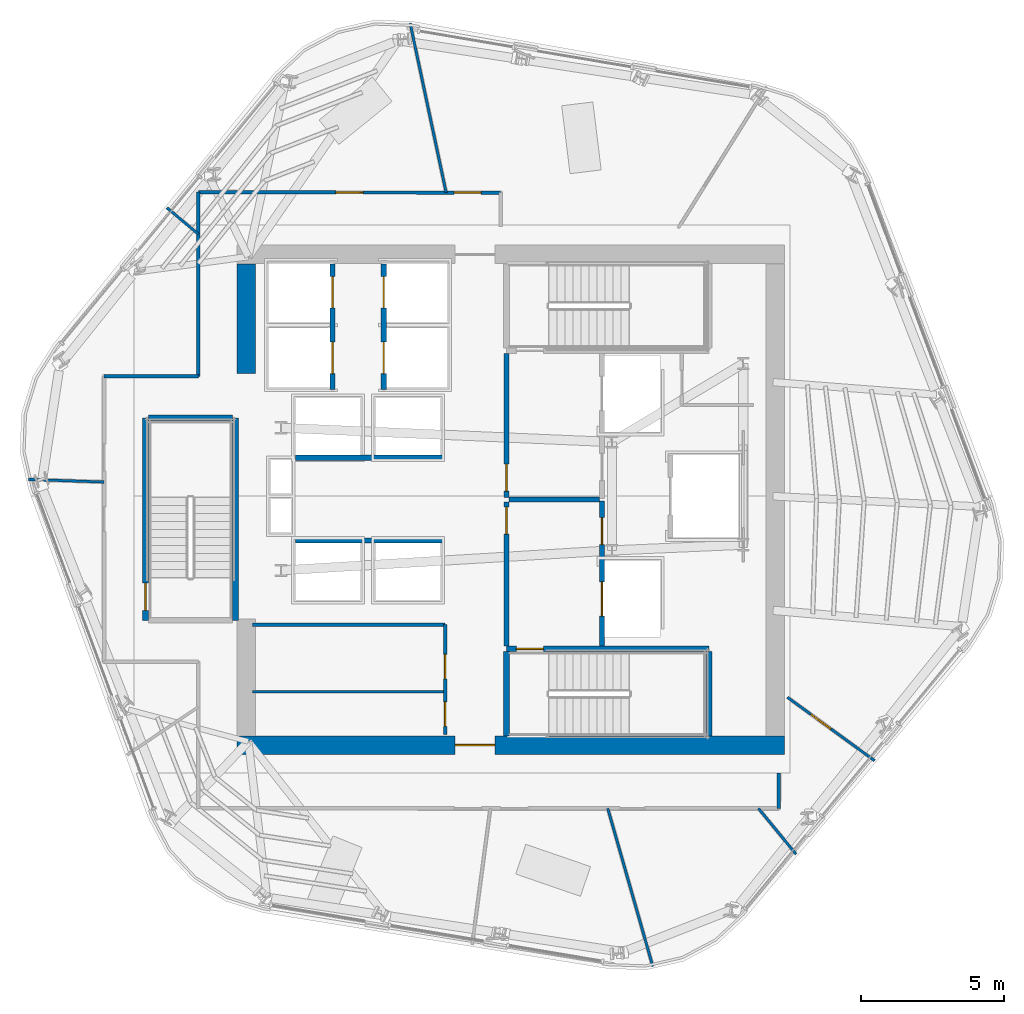
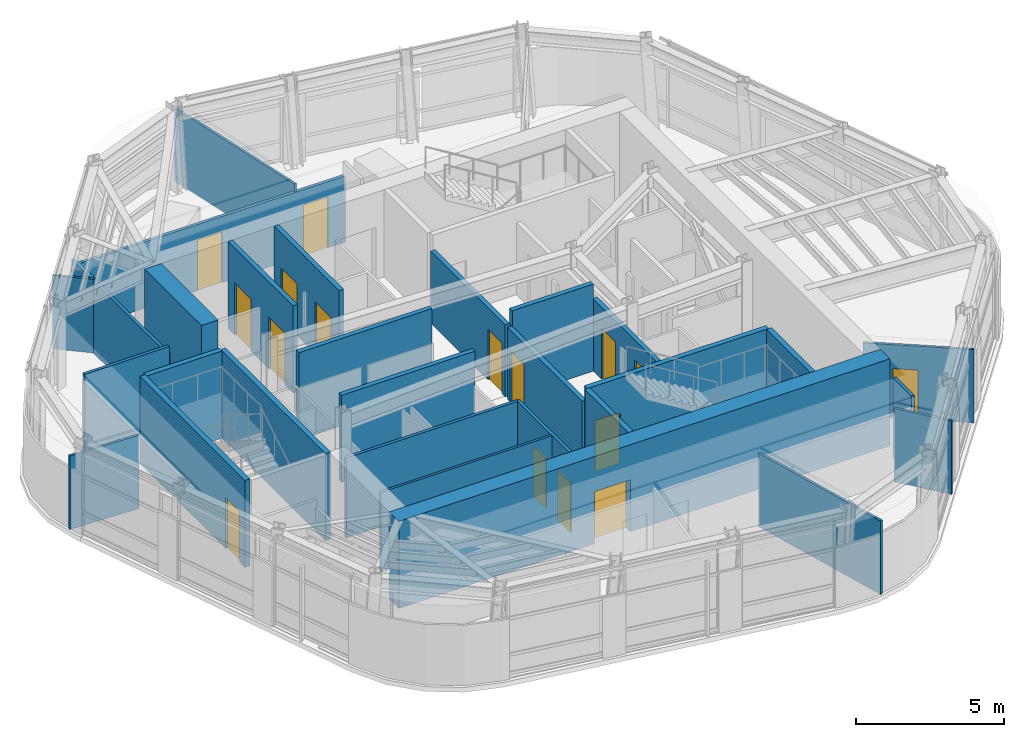
# One storey, part 6 of 12: 29 walls, 16 doors, 16 openings.
"""IFC4 building model written with IfcOpenShell, lengths in metres."""

from ifc_helpers import new_model, si_unit, direction, frame, frame_2d, origin, place, context, subcontext, project, spatial, rectangle, extrude, material, layer, layer_set, type_object, element, fill, save


model = new_model("IFC4")

# Units and contexts
model_context = context("Model", 3, precision=1e-05, world=origin(), true_north=direction((0.0, 1.0)))
body_context = subcontext(model_context, "Body", "Model", "MODEL_VIEW")
ifc_project = project(units=[si_unit("LENGTHUNIT", "METRE"), si_unit("AREAUNIT", "SQUARE_METRE"), si_unit("VOLUMEUNIT", "CUBIC_METRE"), si_unit("PLANEANGLEUNIT", "RADIAN"), si_unit("MASSUNIT", "GRAM", prefix="KILO")], contexts=[model_context])

# Site, building, storey
site_placement = place(None, origin())
site = spatial("IfcSite", under=ifc_project, at=site_placement, CompositionType="ELEMENT")
building_placement = place(site_placement, origin())
building = spatial("IfcBuilding", under=site, at=building_placement, Name="Valkerne Bourse Tower", CompositionType="ELEMENT")
storey_placement = place(building_placement, frame((0.0, 0.0, 239.800048828125)))
storey = spatial("IfcBuildingStorey", under=building, at=storey_placement, Name="L61", CompositionType="ELEMENT", Elevation=239.800048828125)

# Wall, opening, door
ifc_material_1 = material(Name="Concrete C55/67", Category="concrete")
ifc_layer_1 = layer(ifc_material_1, 0.64990234375)
ifc_layer_set_1 = layer_set([ifc_layer_1], Name="Concrete C55/67")
wall_type_1 = type_object("IfcWallType", Name="W-CORE-650", PredefinedType="SHEAR", material=ifc_layer_set_1)
wall_1_placement = place(storey_placement, frame((37.199951171875, 18.27490234375, 0.0), z_axis=(0.0, 0.0, 1.0), x_axis=(1.0, 0.0, 0.0)))
wall_1 = element("IfcWall", 1, at=wall_1_placement, inside=storey, type_object=wall_type_1, Name="L61 Core Shear Wall SOUTH", PredefinedType="SHEAR", context=body_context, shape_type="SweptSolid", body=[
    extrude(rectangle(XDim=19.199951171875, YDim=0.64990234375, at=frame_2d((9.60009765625, 0.0))), origin(), (0.0, 0.0, 1.0), 3.599853515625),
])
opening_1_placement = place(wall_1_placement, frame((7.64990234375, 0.0, 0.0)))
opening_1 = element("IfcOpeningElement", 2, at=opening_1_placement, cuts=wall_1, Name="Opening D-PL-1400", PredefinedType="OPENING", context=body_context, shape_type="SweptSolid", body=[
    extrude(rectangle(XDim=1.39990234375, YDim=2.14990234375, at=frame_2d((0.699951171875, 1.074951171875))), frame((0.0, 0.3349609375, 0.0), z_axis=(0.0, -1.0, 0.0), x_axis=(1.0, 0.0, 0.0)), (0.0, 0.0, 1.0), 0.669921875),
])
ifc_material_2 = material(Name="Galvanised Painted Steel", Category="steel")
door_type_1 = type_object("IfcDoorType", Name="DR-PLT-1400", OperationType="DOUBLE_DOOR_SINGLE_SWING", PredefinedType="DOOR", material=ifc_material_2)
door_1_placement = place(opening_1_placement, origin())
door_1 = element("IfcDoor", 3, at=door_1_placement, inside=storey, type_object=door_type_1, Name="L61 South Passenger Lift Hall Fire Door", OperationType="DOUBLE_DOOR_SINGLE_SWING", OverallHeight=2.14990234375, OverallWidth=1.39990234375, PredefinedType="DOOR", context=body_context, shape_type="SweptSolid", body=[
    extrude(rectangle(XDim=1.39990234375, YDim=2.14990234375, at=frame_2d((0.699951171875, 1.074951171875))), frame((0.0, 0.02490234375, 0.0), z_axis=(0.0, -1.0, 0.0), x_axis=(1.0, 0.0, 0.0)), (0.0, 0.0, 1.0), 0.050048828125),
])
fill(opening_1, door_1)

# Wall
wall_2_placement = place(storey_placement, frame((37.52490234375, 31.300048828125, 0.0), z_axis=(0.0, 0.0, 1.0), x_axis=(0.0, 1.0, 0.0)))
element("IfcWall", 4, at=wall_2_placement, inside=storey, type_object=wall_type_1, Name="L61 Core Shear Wall WEST-N", PredefinedType="SHEAR", context=body_context, shape_type="SweptSolid", body=[
    extrude(rectangle(XDim=3.849853515625, YDim=0.64990234375, at=frame_2d((1.9248046875, 0.0))), origin(), (0.0, 0.0, 1.0), 3.599853515625),
])

# Wall, openings, doors
ifc_material_3 = material(Name="Gypsum Board Steel-Stud Partition", Category="steel")
ifc_layer_2 = layer(ifc_material_3, 0.117919921875)
ifc_layer_set_2 = layer_set([ifc_layer_2], Name="Gypsum Board Steel-Stud Partition")
wall_type_2 = type_object("IfcWallType", Name="W-CORR-140", PredefinedType="PARTITIONING", material=ifc_layer_set_2)
wall_3_placement = place(storey_placement, frame((44.5, 18.64990234375, 0.0), z_axis=(0.0, 0.0, 1.0), x_axis=(0.0, 1.0, 0.0)))
wall_3 = element("IfcWall", 5, at=wall_3_placement, inside=storey, type_object=wall_type_2, Name="L61 LV7 Low-Bank East Wall", PredefinedType="PARTITIONING", context=body_context, shape_type="SweptSolid", body=[
    extrude(rectangle(XDim=3.85009765625, YDim=0.117919921875, at=frame_2d((1.925048828125, 0.0))), origin(), (0.0, 0.0, 1.0), 3.300048828125),
])
opening_2_placement = place(wall_3_placement, frame((0.280029296875, 0.0, 0.0)))
opening_2 = element("IfcOpeningElement", 6, at=opening_2_placement, cuts=wall_3, Name="Opening D-WC-900", PredefinedType="OPENING", context=body_context, shape_type="SweptSolid", body=[
    extrude(rectangle(XDim=0.860107421875, YDim=2.050048828125, at=frame_2d((0.43017578125, 1.02490234375))), frame((0.0, 0.06884765625, 0.0), z_axis=(0.0, -1.0, 0.0), x_axis=(1.0, 0.0, 0.0)), (0.0, 0.0, 1.0), 0.137939453125),
])
opening_3_placement = place(wall_3_placement, frame((1.949951171875, 0.0, 0.0)))
opening_3 = element("IfcOpeningElement", 7, at=opening_3_placement, cuts=wall_3, Name="Opening D-WC-900", PredefinedType="OPENING", context=body_context, shape_type="SweptSolid", body=[
    extrude(rectangle(XDim=0.860107421875, YDim=2.050048828125, at=frame_2d((0.43017578125, 1.02490234375))), frame((0.0, 0.06884765625, 0.0), z_axis=(0.0, -1.0, 0.0), x_axis=(1.0, 0.0, 0.0)), (0.0, 0.0, 1.0), 0.137939453125),
])
ifc_material_4 = material(Name="Architectural White Oak Timber", Category="wood")
door_type_2 = type_object("IfcDoorType", Name="DR-WC-900", OperationType="NOTDEFINED", PredefinedType="DOOR", material=ifc_material_4)
door_2_placement = place(opening_2_placement, origin())
door_2 = element("IfcDoor", 8, at=door_2_placement, inside=storey, type_object=door_type_2, Name="L61 Tea Pantry Door", OperationType="SINGLE_SWING_RIGHT", OverallHeight=2.050048828125, OverallWidth=0.860107421875, PredefinedType="DOOR", context=body_context, shape_type="SweptSolid", body=[
    extrude(rectangle(XDim=0.860107421875, YDim=2.050048828125, at=frame_2d((0.43017578125, 1.02490234375))), frame((0.0, 0.02490234375, 0.0), z_axis=(0.0, -1.0, 0.0), x_axis=(1.0, 0.0, 0.0)), (0.0, 0.0, 1.0), 0.050048828125),
])
fill(opening_2, door_2)
door_3_placement = place(opening_3_placement, origin())
door_3 = element("IfcDoor", 9, at=door_3_placement, inside=storey, type_object=door_type_2, Name="L61 Portfolio Risk Office Door", OperationType="SINGLE_SWING_RIGHT", OverallHeight=2.050048828125, OverallWidth=0.860107421875, PredefinedType="DOOR", context=body_context, shape_type="SweptSolid", body=[
    extrude(rectangle(XDim=0.860107421875, YDim=2.050048828125, at=frame_2d((0.43017578125, 1.02490234375))), frame((0.0, 0.02490234375, 0.0), z_axis=(0.0, -1.0, 0.0), x_axis=(1.0, 0.0, 0.0)), (0.0, 0.0, 1.0), 0.050048828125),
])
fill(opening_3, door_3)

# Walls
wall_4_placement = place(storey_placement, frame((37.75, 22.5, 0.0), z_axis=(0.0, 0.0, 1.0), x_axis=(1.0, 0.0, 0.0)))
element("IfcWall", 10, at=wall_4_placement, inside=storey, type_object=wall_type_2, Name="L61 LV7 Low-Bank North Wall", PredefinedType="PARTITIONING", context=body_context, shape_type="SweptSolid", body=[
    extrude(rectangle(XDim=6.75, YDim=0.117919921875, at=frame_2d((3.375, 0.0))), origin(), (0.0, 0.0, 1.0), 3.300048828125),
])
wall_5_placement = place(storey_placement, frame((32.550048828125, 31.199951171875, 0.0), z_axis=(0.0, 0.0, 1.0), x_axis=(1.0, 0.0, 0.0)))
element("IfcWall", 11, at=wall_5_placement, inside=storey, type_object=wall_type_2, Name="L61 Corridor Enclosure Wall", PredefinedType="PARTITIONING", context=body_context, shape_type="SweptSolid", body=[
    extrude(rectangle(XDim=3.300048828125, YDim=0.117919921875, at=frame_2d((1.64990234375, 0.0))), origin(), (0.0, 0.0, 1.0), 3.300048828125),
])
wall_6_placement = place(storey_placement, frame((35.85009765625, 31.199951171875, 0.0), z_axis=(0.0, 0.0, 1.0), x_axis=(0.0, 1.0, 0.0)))
element("IfcWall", 12, at=wall_6_placement, inside=storey, type_object=wall_type_2, Name="L61 Corridor Enclosure Wall", PredefinedType="PARTITIONING", context=body_context, shape_type="SweptSolid", body=[
    extrude(rectangle(XDim=6.4599609375, YDim=0.117919921875, at=frame_2d((3.22998046875, 0.0))), origin(), (0.0, 0.0, 1.0), 2.98291015625),
])

# Wall, openings, doors
wall_7_placement = place(storey_placement, frame((35.85009765625, 37.659912109375, 0.0), z_axis=(0.0, 0.0, 1.0), x_axis=(0.999998216484, -0.001888657755, 0.0)))
wall_7 = element("IfcWall", 13, at=wall_7_placement, inside=storey, type_object=wall_type_2, Name="L61 Corridor Enclosure Wall", PredefinedType="PARTITIONING", context=body_context, shape_type="SweptSolid", body=[
    extrude(rectangle(XDim=10.599853515625, YDim=0.117919921875, at=frame_2d((5.2998046875, 0.0))), origin(), (0.0, 0.0, 1.0), 2.7314453125),
])
opening_4_placement = place(wall_7_placement, frame((4.824951171875, 0.0, 0.0)))
opening_4 = element("IfcOpeningElement", 14, at=opening_4_placement, cuts=wall_7, Name="Opening D-OF-950", PredefinedType="OPENING", context=body_context, shape_type="SweptSolid", body=[
    extrude(rectangle(XDim=0.949951171875, YDim=2.10009765625, at=frame_2d((0.47509765625, 1.050048828125))), frame((0.0, 0.06884765625, 0.0), z_axis=(0.0, -1.0, 0.0), x_axis=(1.0, 0.0, 0.0)), (0.0, 0.0, 1.0), 0.137939453125),
])
opening_5_placement = place(wall_7_placement, frame((8.965087890625, 0.0, 0.0)))
opening_5 = element("IfcOpeningElement", 15, at=opening_5_placement, cuts=wall_7, Name="Opening D-OF-950", PredefinedType="OPENING", context=body_context, shape_type="SweptSolid", body=[
    extrude(rectangle(XDim=0.949951171875, YDim=2.10009765625, at=frame_2d((0.47509765625, 1.050048828125))), frame((0.0, 0.06884765625, 0.0), z_axis=(0.0, -1.0, 0.0), x_axis=(1.0, 0.0, 0.0)), (0.0, 0.0, 1.0), 0.137939453125),
])
door_type_3 = type_object("IfcDoorType", Name="DR-OFF-950", OperationType="NOTDEFINED", PredefinedType="DOOR", material=ifc_material_4)
door_4_placement = place(opening_4_placement, origin())
door_4 = element("IfcDoor", 16, at=door_4_placement, inside=storey, type_object=door_type_3, Name="L61 L61 Executive Advisory Suite Office 5 Door", OperationType="SINGLE_SWING_RIGHT", OverallHeight=2.10009765625, OverallWidth=0.949951171875, PredefinedType="DOOR", context=body_context, shape_type="SweptSolid", body=[
    extrude(rectangle(XDim=0.949951171875, YDim=2.10009765625, at=frame_2d((0.47509765625, 1.050048828125))), frame((0.0, 0.02490234375, 0.0), z_axis=(0.0, -1.0, 0.0), x_axis=(1.0, 0.0, 0.0)), (0.0, 0.0, 1.0), 0.050048828125),
])
fill(opening_4, door_4)
door_5_placement = place(opening_5_placement, origin())
door_5 = element("IfcDoor", 17, at=door_5_placement, inside=storey, type_object=door_type_3, Name="L61 L61 Executive Economics Study Room 7 Door", OperationType="SINGLE_SWING_LEFT", OverallHeight=2.10009765625, OverallWidth=0.949951171875, PredefinedType="DOOR", context=body_context, shape_type="SweptSolid", body=[
    extrude(rectangle(XDim=0.949951171875, YDim=2.10009765625, at=frame_2d((0.47509765625, 1.050048828125))), frame((0.0, 0.02490234375, 0.0), z_axis=(0.0, -1.0, 0.0), x_axis=(1.0, 0.0, 0.0)), (0.0, 0.0, 1.0), 0.050048828125),
])
fill(opening_5, door_5)

# Walls
wall_8_placement = place(storey_placement, frame((56.199951171875, 17.2900390625, 0.0), z_axis=(0.0, 0.0, 1.0), x_axis=(0.0, -1.0, 0.0)))
element("IfcWall", 18, at=wall_8_placement, inside=storey, type_object=wall_type_2, Name="L61 Corridor Enclosure Wall", PredefinedType="PARTITIONING", context=body_context, shape_type="SweptSolid", body=[
    extrude(rectangle(XDim=1.22998046875, YDim=0.117919921875, at=frame_2d((0.614990234375, 0.0))), origin(), (0.0, 0.0, 1.0), 3.300048828125),
])
ifc_material_5 = material(Name="Gypsum Fire-Rated Shaftwall", Category="gypsum")
ifc_layer_3 = layer(ifc_material_5, 0.179931640625)
ifc_layer_set_3 = layer_set([ifc_layer_3], Name="Gypsum Fire-Rated Shaftwall")
wall_type_3 = type_object("IfcWallType", Name="W-FSAE-180", PredefinedType="PARTITIONING", material=ifc_layer_set_3)
wall_9_placement = place(storey_placement, frame((46.739990234375, 26.8798828125, 0.0), z_axis=(0.0, 0.0, 1.0), x_axis=(1.0, 0.0, 0.0)))
element("IfcWall", 19, at=wall_9_placement, inside=storey, type_object=wall_type_3, Name="L61 FSAE-1/2 Lobby Dividing Fire Wall", PredefinedType="PARTITIONING", context=body_context, shape_type="SweptSolid", body=[
    extrude(rectangle(XDim=3.169921875, YDim=0.179931640625, at=frame_2d((1.5849609375, 0.0))), origin(), (0.0, 0.0, 1.0), 3.599853515625),
])

# Wall, opening, door
wall_10_placement = place(storey_placement, frame((46.64990234375, 21.75, 0.0), z_axis=(0.0, 0.0, 1.0), x_axis=(0.0, 1.0, 0.0)))
wall_10 = element("IfcWall", 20, at=wall_10_placement, inside=storey, type_object=wall_type_3, Name="L61 FSAE-1 Lobby West Fire Wall", PredefinedType="PARTITIONING", context=body_context, shape_type="SweptSolid", body=[
    extrude(rectangle(XDim=5.050048828125, YDim=0.179931640625, at=frame_2d((2.52490234375, 0.0))), origin(), (0.0, 0.0, 1.0), 2.97802734375),
])
opening_6_placement = place(wall_10_placement, frame((3.919921875, 0.0, 0.0)))
opening_6 = element("IfcOpeningElement", 21, at=opening_6_placement, cuts=wall_10, Name="Opening D-FS-950", PredefinedType="OPENING", context=body_context, shape_type="SweptSolid", body=[
    extrude(rectangle(XDim=0.949951171875, YDim=2.10009765625, at=frame_2d((0.47509765625, 1.050048828125))), frame((0.0, 0.099853515625, 0.0), z_axis=(0.0, -1.0, 0.0), x_axis=(1.0, 0.0, 0.0)), (0.0, 0.0, 1.0), 0.199951171875),
])
door_type_4 = type_object("IfcDoorType", Name="DR-FSAE-950", OperationType="NOTDEFINED", PredefinedType="DOOR", material=ifc_material_2)
door_6_placement = place(opening_6_placement, origin())
door_6 = element("IfcDoor", 22, at=door_6_placement, inside=storey, type_object=door_type_4, Name="L61 FSAE-1 Hall Link Fire Door", OperationType="SINGLE_SWING_LEFT", OverallHeight=2.10009765625, OverallWidth=0.949951171875, PredefinedType="DOOR", context=body_context, shape_type="SweptSolid", body=[
    extrude(rectangle(XDim=0.949951171875, YDim=2.10009765625, at=frame_2d((0.47509765625, 1.050048828125))), frame((0.0, 0.02490234375, 0.0), z_axis=(0.0, -1.0, 0.0), x_axis=(1.0, 0.0, 0.0)), (0.0, 0.0, 1.0), 0.050048828125),
])
fill(opening_6, door_6)

wall_11_placement = place(storey_placement, frame((46.64990234375, 26.9599609375, 0.0), z_axis=(0.0, 0.0, 1.0), x_axis=(0.0, 1.0, 0.0)))
wall_11 = element("IfcWall", 23, at=wall_11_placement, inside=storey, type_object=wall_type_3, Name="L61 FSAE-2 Lobby West Fire Wall", PredefinedType="PARTITIONING", context=body_context, shape_type="SweptSolid", body=[
    extrude(rectangle(XDim=5.0400390625, YDim=0.179931640625, at=frame_2d((2.52001953125, 0.0))), origin(), (0.0, 0.0, 1.0), 2.97802734375),
])
opening_7_placement = place(wall_11_placement, frame((0.219970703125, 0.0, 0.0)))
opening_7 = element("IfcOpeningElement", 24, at=opening_7_placement, cuts=wall_11, Name="Opening D-FS-950", PredefinedType="OPENING", context=body_context, shape_type="SweptSolid", body=[
    extrude(rectangle(XDim=0.949951171875, YDim=2.10009765625, at=frame_2d((0.47509765625, 1.050048828125))), frame((0.0, 0.099853515625, 0.0), z_axis=(0.0, -1.0, 0.0), x_axis=(1.0, 0.0, 0.0)), (0.0, 0.0, 1.0), 0.199951171875),
])
door_7_placement = place(opening_7_placement, origin())
door_7 = element("IfcDoor", 25, at=door_7_placement, inside=storey, type_object=door_type_4, Name="L61 FSAE-2 Hall Link Fire Door", OperationType="SINGLE_SWING_LEFT", OverallHeight=2.10009765625, OverallWidth=0.949951171875, PredefinedType="DOOR", context=body_context, shape_type="SweptSolid", body=[
    extrude(rectangle(XDim=0.949951171875, YDim=2.10009765625, at=frame_2d((0.47509765625, 1.050048828125))), frame((0.0, 0.02490234375, 0.0), z_axis=(0.0, -1.0, 0.0), x_axis=(1.0, 0.0, 0.0)), (0.0, 0.0, 1.0), 0.050048828125),
])
fill(opening_7, door_7)

# Wall, openings, doors
wall_12_placement = place(storey_placement, frame((50.0, 21.75, 0.0), z_axis=(0.0, 0.0, 1.0), x_axis=(0.0, 1.0, 0.0)))
wall_12 = element("IfcWall", 26, at=wall_12_placement, inside=storey, type_object=wall_type_3, Name="L61 FSAE-1 Lobby & Shaft Front Wall", PredefinedType="PARTITIONING", context=body_context, shape_type="SweptSolid", body=[
    extrude(rectangle(XDim=5.090087890625, YDim=0.179931640625, at=frame_2d((2.544921875, 0.0))), origin(), (0.0, 0.0, 1.0), 2.97802734375),
])
opening_8_placement = place(wall_12_placement, frame((1.050048828125, 0.0, 0.0)))
opening_8 = element("IfcOpeningElement", 27, at=opening_8_placement, cuts=wall_12, Name="Opening LD-1200", PredefinedType="OPENING", context=body_context, shape_type="SweptSolid", body=[
    extrude(rectangle(XDim=1.199951171875, YDim=2.14990234375, at=frame_2d((0.60009765625, 1.074951171875))), frame((0.0, 0.099853515625, 0.0), z_axis=(0.0, -1.0, 0.0), x_axis=(1.0, 0.0, 0.0)), (0.0, 0.0, 1.0), 0.199951171875),
])
opening_9_placement = place(wall_12_placement, frame((3.550048828125, 0.0, 0.0)))
opening_9 = element("IfcOpeningElement", 28, at=opening_9_placement, cuts=wall_12, Name="Opening D-FS-950", PredefinedType="OPENING", context=body_context, shape_type="SweptSolid", body=[
    extrude(rectangle(XDim=0.949951171875, YDim=2.10009765625, at=frame_2d((0.47509765625, 1.050048828125))), frame((0.0, 0.099853515625, 0.0), z_axis=(0.0, -1.0, 0.0), x_axis=(1.0, 0.0, 0.0)), (0.0, 0.0, 1.0), 0.199951171875),
])
door_8_placement = place(opening_9_placement, origin())
door_8 = element("IfcDoor", 29, at=door_8_placement, inside=storey, type_object=door_type_4, Name="L61 FSAE-1 Lobby Corridor Fire Door", OperationType="SINGLE_SWING_LEFT", OverallHeight=2.10009765625, OverallWidth=0.949951171875, PredefinedType="DOOR", context=body_context, shape_type="SweptSolid", body=[
    extrude(rectangle(XDim=0.949951171875, YDim=2.10009765625, at=frame_2d((0.47509765625, 1.050048828125))), frame((0.0, 0.02490234375, 0.0), z_axis=(0.0, -1.0, 0.0), x_axis=(1.0, 0.0, 0.0)), (0.0, 0.0, 1.0), 0.050048828125),
])
fill(opening_9, door_8)
ifc_material_6 = material(Name="Stainless Steel AISI 316", Category="steel")
door_type_5 = type_object("IfcDoorType", Name="DR-LIFT-1200", OperationType="DOUBLE_DOOR_SLIDING", PredefinedType="DOOR", material=ifc_material_6)
door_9_placement = place(opening_8_placement, origin())
door_9 = element("IfcDoor", 30, at=door_9_placement, inside=storey, type_object=door_type_5, Name="L61 FSAE-1 Firefighting Lift Landing Door", OperationType="DOUBLE_DOOR_SLIDING", OverallHeight=2.14990234375, OverallWidth=1.199951171875, PredefinedType="DOOR", context=body_context, shape_type="SweptSolid", body=[
    extrude(rectangle(XDim=1.199951171875, YDim=2.14990234375, at=frame_2d((0.60009765625, 1.074951171875))), frame((0.0, 0.02490234375, 0.0), z_axis=(0.0, -1.0, 0.0), x_axis=(1.0, 0.0, 0.0)), (0.0, 0.0, 1.0), 0.050048828125),
])
fill(opening_8, door_9)

ifc_material_7 = material(Name="CMU Blockwork Masonry 200mm", Category="masonry")
ifc_layer_4 = layer(ifc_material_7, 0.179931640625)
ifc_layer_set_4 = layer_set([ifc_layer_4], Name="CMU Blockwork Masonry 200mm")
wall_type_4 = type_object("IfcWallType", Name="W-LFT-180", PredefinedType="SOLIDWALL", material=ifc_layer_set_4)
wall_13_placement = place(storey_placement, frame((40.550048828125, 30.75, 0.0), z_axis=(0.0, 0.0, 1.0), x_axis=(0.0, 1.0, 0.0)))
wall_13 = element("IfcWall", 31, at=wall_13_placement, inside=storey, type_object=wall_type_4, Name="L61 Mid-Zone West Cars Front Wall", PredefinedType="SOLIDWALL", context=body_context, shape_type="SweptSolid", body=[
    extrude(rectangle(XDim=4.39990234375, YDim=0.179931640625, at=frame_2d((2.199951171875, 0.0))), origin(), (0.0, 0.0, 1.0), 3.599853515625),
])
opening_10_placement = place(wall_13_placement, frame((0.550048828125, 0.0, 0.0)))
opening_10 = element("IfcOpeningElement", 32, at=opening_10_placement, cuts=wall_13, Name="Opening LD-1100", PredefinedType="OPENING", context=body_context, shape_type="SweptSolid", body=[
    extrude(rectangle(XDim=1.10009765625, YDim=2.14990234375, at=frame_2d((0.550048828125, 1.074951171875))), frame((0.0, 0.099853515625, 0.0), z_axis=(0.0, -1.0, 0.0), x_axis=(1.0, 0.0, 0.0)), (0.0, 0.0, 1.0), 0.199951171875),
])
opening_11_placement = place(wall_13_placement, frame((2.85009765625, 0.0, 0.0)))
opening_11 = element("IfcOpeningElement", 33, at=opening_11_placement, cuts=wall_13, Name="Opening LD-1100", PredefinedType="OPENING", context=body_context, shape_type="SweptSolid", body=[
    extrude(rectangle(XDim=1.10009765625, YDim=2.14990234375, at=frame_2d((0.550048828125, 1.074951171875))), frame((0.0, 0.099853515625, 0.0), z_axis=(0.0, -1.0, 0.0), x_axis=(1.0, 0.0, 0.0)), (0.0, 0.0, 1.0), 0.199951171875),
])
door_type_6 = type_object("IfcDoorType", Name="DR-LIFT-1100", OperationType="DOUBLE_DOOR_SLIDING", PredefinedType="DOOR", material=ifc_material_6)
door_10_placement = place(opening_10_placement, origin())
door_10 = element("IfcDoor", 34, at=door_10_placement, inside=storey, type_object=door_type_6, Name="L61 Passenger Lift PL-M1 Sliding Landing Door", OperationType="DOUBLE_DOOR_SLIDING", OverallHeight=2.14990234375, OverallWidth=1.10009765625, PredefinedType="DOOR", context=body_context, shape_type="SweptSolid", body=[
    extrude(rectangle(XDim=1.10009765625, YDim=2.14990234375, at=frame_2d((0.550048828125, 1.074951171875))), frame((0.0, 0.02490234375, 0.0), z_axis=(0.0, -1.0, 0.0), x_axis=(1.0, 0.0, 0.0)), (0.0, 0.0, 1.0), 0.050048828125),
])
fill(opening_10, door_10)
door_11_placement = place(opening_11_placement, origin())
door_11 = element("IfcDoor", 35, at=door_11_placement, inside=storey, type_object=door_type_6, Name="L61 Passenger Lift PL-M2 Sliding Landing Door", OperationType="DOUBLE_DOOR_SLIDING", OverallHeight=2.14990234375, OverallWidth=1.10009765625, PredefinedType="DOOR", context=body_context, shape_type="SweptSolid", body=[
    extrude(rectangle(XDim=1.10009765625, YDim=2.14990234375, at=frame_2d((0.550048828125, 1.074951171875))), frame((0.0, 0.02490234375, 0.0), z_axis=(0.0, -1.0, 0.0), x_axis=(1.0, 0.0, 0.0)), (0.0, 0.0, 1.0), 0.050048828125),
])
fill(opening_11, door_11)

wall_14_placement = place(storey_placement, frame((42.35009765625, 30.75, 0.0), z_axis=(0.0, 0.0, 1.0), x_axis=(0.0, 1.0, 0.0)))
wall_14 = element("IfcWall", 36, at=wall_14_placement, inside=storey, type_object=wall_type_4, Name="L61 Mid-Zone East Cars Front Wall", PredefinedType="SOLIDWALL", context=body_context, shape_type="SweptSolid", body=[
    extrude(rectangle(XDim=4.39990234375, YDim=0.179931640625, at=frame_2d((2.199951171875, 0.0))), origin(), (0.0, 0.0, 1.0), 3.599853515625),
])
opening_12_placement = place(wall_14_placement, frame((0.550048828125, 0.0, 0.0)))
opening_12 = element("IfcOpeningElement", 37, at=opening_12_placement, cuts=wall_14, Name="Opening LD-1100", PredefinedType="OPENING", context=body_context, shape_type="SweptSolid", body=[
    extrude(rectangle(XDim=1.10009765625, YDim=2.14990234375, at=frame_2d((0.550048828125, 1.074951171875))), frame((0.0, 0.099853515625, 0.0), z_axis=(0.0, -1.0, 0.0), x_axis=(1.0, 0.0, 0.0)), (0.0, 0.0, 1.0), 0.199951171875),
])
opening_13_placement = place(wall_14_placement, frame((2.85009765625, 0.0, 0.0)))
opening_13 = element("IfcOpeningElement", 38, at=opening_13_placement, cuts=wall_14, Name="Opening LD-1100", PredefinedType="OPENING", context=body_context, shape_type="SweptSolid", body=[
    extrude(rectangle(XDim=1.10009765625, YDim=2.14990234375, at=frame_2d((0.550048828125, 1.074951171875))), frame((0.0, 0.099853515625, 0.0), z_axis=(0.0, -1.0, 0.0), x_axis=(1.0, 0.0, 0.0)), (0.0, 0.0, 1.0), 0.199951171875),
])
door_12_placement = place(opening_12_placement, origin())
door_12 = element("IfcDoor", 39, at=door_12_placement, inside=storey, type_object=door_type_6, Name="L61 Passenger Lift PL-M3 Sliding Landing Door", OperationType="DOUBLE_DOOR_SLIDING", OverallHeight=2.14990234375, OverallWidth=1.10009765625, PredefinedType="DOOR", context=body_context, shape_type="SweptSolid", body=[
    extrude(rectangle(XDim=1.10009765625, YDim=2.14990234375, at=frame_2d((0.550048828125, 1.074951171875))), frame((0.0, 0.02490234375, 0.0), z_axis=(0.0, -1.0, 0.0), x_axis=(1.0, 0.0, 0.0)), (0.0, 0.0, 1.0), 0.050048828125),
])
fill(opening_12, door_12)
door_13_placement = place(opening_13_placement, origin())
door_13 = element("IfcDoor", 40, at=door_13_placement, inside=storey, type_object=door_type_6, Name="L61 Passenger Lift PL-M4 Sliding Landing Door", OperationType="DOUBLE_DOOR_SLIDING", OverallHeight=2.14990234375, OverallWidth=1.10009765625, PredefinedType="DOOR", context=body_context, shape_type="SweptSolid", body=[
    extrude(rectangle(XDim=1.10009765625, YDim=2.14990234375, at=frame_2d((0.550048828125, 1.074951171875))), frame((0.0, 0.02490234375, 0.0), z_axis=(0.0, -1.0, 0.0), x_axis=(1.0, 0.0, 0.0)), (0.0, 0.0, 1.0), 0.050048828125),
])
fill(opening_13, door_13)

# Walls
for number, where, z_axis, x_axis, name in (
    (41, (39.25, 25.449951171875, 0.0), (0.0, 0.0, 1.0), (1.0, 0.0, 0.0), "L61 High-Zone South Cars Front Wall"),
    (42, (39.25, 28.35009765625, 0.0), (0.0, 0.0, 1.0), (1.0, 0.0, 0.0), "L61 High-Zone North Cars Front Wall"),
):
    element("IfcWall", number, at=place(storey_placement, frame(where, z_axis=z_axis, x_axis=x_axis)), inside=storey, type_object=wall_type_4, Name=name, PredefinedType="SOLIDWALL", context=body_context, shape_type="SweptSolid", body=[
        extrude(rectangle(XDim=5.199951171875, YDim=0.179931640625, at=frame_2d((2.60009765625, 0.0))), origin(), (0.0, 0.0, 1.0), 3.599853515625),
    ])
ifc_layer_5 = layer(ifc_material_3, 0.092041015625)
ifc_layer_set_5 = layer_set([ifc_layer_5], Name="Gypsum Board Steel-Stud Partition")
wall_type_5 = type_object("IfcWallType", Name="W-PART-115", PredefinedType="PARTITIONING", material=ifc_layer_set_5)
wall_15_placement = place(storey_placement, frame((37.75, 20.14990234375, 0.0), z_axis=(0.0, 0.0, 1.0), x_axis=(1.0, 0.0, 0.0)))
element("IfcWall", 43, at=wall_15_placement, inside=storey, type_object=wall_type_5, Name="L61 LV7 Low-Bank Sub-Divider", PredefinedType="PARTITIONING", context=body_context, shape_type="SweptSolid", body=[
    extrude(rectangle(XDim=6.75, YDim=0.092041015625, at=frame_2d((3.375, 0.0))), origin(), (0.0, 0.0, 1.0), 3.300048828125),
])
wall_16_placement = place(storey_placement, frame((50.204345703125, 16.054931640625, 0.0), z_axis=(0.0, 0.0, 1.0), x_axis=(0.273964758148, -0.961739731576, 0.0)))
element("IfcWall", 44, at=wall_16_placement, inside=storey, type_object=wall_type_5, Name="L61 Suite Partition P02", PredefinedType="PARTITIONING", context=body_context, shape_type="SweptSolid", body=[
    extrude(rectangle(XDim=5.755859375, YDim=0.092041015625, at=frame_2d((2.8779296875, 0.0))), origin(), (0.0, 0.0, 1.0), 3.036376953125),
])
wall_17_placement = place(storey_placement, frame((55.48681640625, 16.054931640625, 0.0), z_axis=(0.0, 0.0, 1.0), x_axis=(0.634784511922, -0.772689215289, 0.0)))
element("IfcWall", 45, at=wall_17_placement, inside=storey, type_object=wall_type_5, Name="L61 Suite Partition P03", PredefinedType="PARTITIONING", context=body_context, shape_type="SweptSolid", body=[
    extrude(rectangle(XDim=2.078369140625, YDim=0.092041015625, at=frame_2d((1.0390625, 0.0))), origin(), (0.0, 0.0, 1.0), 3.036376953125),
])

# Wall, opening, door
wall_18_placement = place(storey_placement, frame((56.5, 19.952392578125, 0.0), z_axis=(0.0, 0.0, 1.0), x_axis=(0.809046025502, -0.587745292299, 0.0)))
wall_18 = element("IfcWall", 46, at=wall_18_placement, inside=storey, type_object=wall_type_5, Name="L61 Suite Partition P04", PredefinedType="PARTITIONING", context=body_context, shape_type="SweptSolid", body=[
    extrude(rectangle(XDim=3.779541015625, YDim=0.092041015625, at=frame_2d((1.8896484375, 0.0))), origin(), (0.0, 0.0, 1.0), 3.036376953125),
])
opening_14_placement = place(wall_18_placement, frame((1.02197265625, 0.0, 0.0)))
opening_14 = element("IfcOpeningElement", 47, at=opening_14_placement, cuts=wall_18, Name="Opening D-WC-900", PredefinedType="OPENING", context=body_context, shape_type="SweptSolid", body=[
    extrude(rectangle(XDim=0.860107421875, YDim=2.050048828125, at=frame_2d((0.43017578125, 1.02490234375))), frame((0.0, 0.055908203125, 0.0), z_axis=(0.0, -1.0, 0.0), x_axis=(1.0, 0.0, 0.0)), (0.0, 0.0, 1.0), 0.112060546875),
])
door_14_placement = place(opening_14_placement, origin())
door_14 = element("IfcDoor", 48, at=door_14_placement, inside=storey, type_object=door_type_2, Name="L61 L61 Occupational Wellness Clinic 8 Suite Door", OperationType="SINGLE_SWING_LEFT", OverallHeight=2.050048828125, OverallWidth=0.860107421875, PredefinedType="DOOR", context=body_context, shape_type="SweptSolid", body=[
    extrude(rectangle(XDim=0.860107421875, YDim=2.050048828125, at=frame_2d((0.43017578125, 1.02490234375))), frame((0.0, 0.02490234375, 0.0), z_axis=(0.0, -1.0, 0.0), x_axis=(1.0, 0.0, 0.0)), (0.0, 0.0, 1.0), 0.050048828125),
])
fill(opening_14, door_14)

# Walls
wall_19_placement = place(storey_placement, frame((44.537353515625, 37.64501953125, 0.0), z_axis=(0.0, 0.0, 1.0), x_axis=(-0.207934800881, 0.978142688253, 0.0)))
element("IfcWall", 49, at=wall_19_placement, inside=storey, type_object=wall_type_5, Name="L61 Suite Partition P06", PredefinedType="PARTITIONING", context=body_context, shape_type="SweptSolid", body=[
    extrude(rectangle(XDim=6.066650390625, YDim=0.092041015625, at=frame_2d((3.033203125, 0.0))), origin(), (0.0, 0.0, 1.0), 3.036376953125),
])
wall_20_placement = place(storey_placement, frame((35.844970703125, 36.1923828125, 0.0), z_axis=(0.0, 0.0, 1.0), x_axis=(-0.766037203129, 0.642796237872, 0.0)))
element("IfcWall", 50, at=wall_20_placement, inside=storey, type_object=wall_type_5, Name="L61 Suite Partition P07", PredefinedType="PARTITIONING", context=body_context, shape_type="SweptSolid", body=[
    extrude(rectangle(XDim=1.432373046875, YDim=0.092041015625, at=frame_2d((0.71630859375, 0.0))), origin(), (0.0, 0.0, 1.0), 3.036376953125),
])
wall_21_placement = place(storey_placement, frame((32.544921875, 27.497802734375, 0.0), z_axis=(0.0, 0.0, 1.0), x_axis=(-0.99939062828, 0.034905187385, 0.0)))
element("IfcWall", 51, at=wall_21_placement, inside=storey, type_object=wall_type_5, Name="L61 Suite Partition P08", PredefinedType="PARTITIONING", context=body_context, shape_type="SweptSolid", body=[
    extrude(rectangle(XDim=2.657958984375, YDim=0.092041015625, at=frame_2d((1.3291015625, 0.0))), origin(), (0.0, 0.0, 1.0), 3.036376953125),
])

# Wall, opening, door
ifc_material_8 = material(Name="Concrete C40/50", Category="concrete")
ifc_layer_6 = layer(ifc_material_8, 0.199951171875)
ifc_layer_set_6 = layer_set([ifc_layer_6], Name="Concrete C40/50")
wall_type_6 = type_object("IfcWallType", Name="W-SHF-200", PredefinedType="SHEAR", material=ifc_layer_set_6)
wall_22_placement = place(storey_placement, frame((46.64990234375, 21.64990234375, 0.0), z_axis=(0.0, 0.0, 1.0), x_axis=(1.0, 0.0, 0.0)))
wall_22 = element("IfcWall", 52, at=wall_22_placement, inside=storey, type_object=wall_type_6, Name="L61 Exit Stair ST-1 Structural Shaft Wall North", PredefinedType="SHEAR", context=body_context, shape_type="SweptSolid", body=[
    extrude(rectangle(XDim=7.10009765625, YDim=0.199951171875, at=frame_2d((3.550048828125, 0.0))), origin(), (0.0, 0.0, 1.0), 3.599853515625),
])
opening_15_placement = place(wall_22_placement, frame((0.35009765625, 0.0, 0.0)))
opening_15 = element("IfcOpeningElement", 53, at=opening_15_placement, cuts=wall_22, Name="Opening D-ST-950", PredefinedType="OPENING", context=body_context, shape_type="SweptSolid", body=[
    extrude(rectangle(XDim=0.949951171875, YDim=2.10009765625, at=frame_2d((0.47509765625, 1.050048828125))), frame((0.0, 0.10986328125, 0.0), z_axis=(0.0, -1.0, 0.0), x_axis=(1.0, 0.0, 0.0)), (0.0, 0.0, 1.0), 0.219970703125),
])
door_type_7 = type_object("IfcDoorType", Name="DR-STAIR-950", OperationType="NOTDEFINED", PredefinedType="DOOR", material=ifc_material_2)
door_15_placement = place(opening_15_placement, origin())
door_15 = element("IfcDoor", 54, at=door_15_placement, inside=storey, type_object=door_type_7, Name="L61 Exit Stair ST-1 Door", OperationType="SINGLE_SWING_LEFT", OverallHeight=2.10009765625, OverallWidth=0.949951171875, PredefinedType="DOOR", context=body_context, shape_type="SweptSolid", body=[
    extrude(rectangle(XDim=0.949951171875, YDim=2.10009765625, at=frame_2d((0.47509765625, 1.050048828125))), frame((0.0, 0.02490234375, 0.0), z_axis=(0.0, -1.0, 0.0), x_axis=(1.0, 0.0, 0.0)), (0.0, 0.0, 1.0), 0.050048828125),
])
fill(opening_15, door_15)

# Walls
for number, where, z_axis, x_axis, name in (
    (55, (46.64990234375, 18.60009765625, 0.0), (0.0, 0.0, 1.0), (0.0, 1.0, 0.0), "L61 Exit Stair ST-1 Structural Shaft Wall West"),
    (56, (53.75, 18.60009765625, 0.0), (0.0, 0.0, 1.0), (0.0, 1.0, 0.0), "L61 Exit Stair ST-1 Structural Shaft Wall East"),
):
    element("IfcWall", number, at=place(storey_placement, frame(where, z_axis=z_axis, x_axis=x_axis)), inside=storey, type_object=wall_type_6, Name=name, PredefinedType="SHEAR", context=body_context, shape_type="SweptSolid", body=[
        extrude(rectangle(XDim=2.949951171875, YDim=0.199951171875, at=frame_2d((1.47509765625, 0.0))), origin(), (0.0, 0.0, 1.0), 3.599853515625),
    ])

# Wall, opening, door
wall_23_placement = place(storey_placement, frame((34.0, 22.64990234375, 0.0), z_axis=(0.0, 0.0, 1.0), x_axis=(0.0, 1.0, 0.0)))
wall_23 = element("IfcWall", 57, at=wall_23_placement, inside=storey, type_object=wall_type_6, Name="L61 Exit Stair ST-3 Structural Shaft Wall West", PredefinedType="SHEAR", context=body_context, shape_type="SweptSolid", body=[
    extrude(rectangle(XDim=7.10009765625, YDim=0.199951171875, at=frame_2d((3.550048828125, 0.0))), origin(), (0.0, 0.0, 1.0), 3.599853515625),
])
opening_16_placement = place(wall_23_placement, frame((0.35009765625, 0.0, 0.0)))
opening_16 = element("IfcOpeningElement", 58, at=opening_16_placement, cuts=wall_23, Name="Opening D-ST-950", PredefinedType="OPENING", context=body_context, shape_type="SweptSolid", body=[
    extrude(rectangle(XDim=0.949951171875, YDim=2.10009765625, at=frame_2d((0.47509765625, 1.050048828125))), frame((0.0, 0.10986328125, 0.0), z_axis=(0.0, -1.0, 0.0), x_axis=(1.0, 0.0, 0.0)), (0.0, 0.0, 1.0), 0.219970703125),
])
door_16_placement = place(opening_16_placement, origin())
door_16 = element("IfcDoor", 59, at=door_16_placement, inside=storey, type_object=door_type_7, Name="L61 Exit Stair ST-3 Door", OperationType="SINGLE_SWING_LEFT", OverallHeight=2.10009765625, OverallWidth=0.949951171875, PredefinedType="DOOR", context=body_context, shape_type="SweptSolid", body=[
    extrude(rectangle(XDim=0.949951171875, YDim=2.10009765625, at=frame_2d((0.47509765625, 1.050048828125))), frame((0.0, 0.02490234375, 0.0), z_axis=(0.0, -1.0, 0.0), x_axis=(1.0, 0.0, 0.0)), (0.0, 0.0, 1.0), 0.050048828125),
])
fill(opening_16, door_16)

# Walls
wall_24_placement = place(storey_placement, frame((34.10009765625, 29.75, 0.0), z_axis=(0.0, 0.0, 1.0), x_axis=(1.0, 0.0, 0.0)))
element("IfcWall", 60, at=wall_24_placement, inside=storey, type_object=wall_type_6, Name="L61 Exit Stair ST-3 Structural Shaft Wall North", PredefinedType="SHEAR", context=body_context, shape_type="SweptSolid", body=[
    extrude(rectangle(XDim=2.949951171875, YDim=0.199951171875, at=frame_2d((1.47509765625, 0.0))), origin(), (0.0, 0.0, 1.0), 3.599853515625),
])
wall_25_placement = place(storey_placement, frame((37.14990234375, 22.64990234375, 0.0), z_axis=(0.0, 0.0, 1.0), x_axis=(0.0, 1.0, 0.0)))
element("IfcWall", 61, at=wall_25_placement, inside=storey, type_object=wall_type_6, Name="L61 Exit Stair ST-3 Structural Shaft Wall East", PredefinedType="SHEAR", context=body_context, shape_type="SweptSolid", body=[
    extrude(rectangle(XDim=7.10009765625, YDim=0.199951171875, at=frame_2d((3.550048828125, 0.0))), origin(), (0.0, 0.0, 1.0), 3.599853515625),
])

save(model, "model.ifc")
